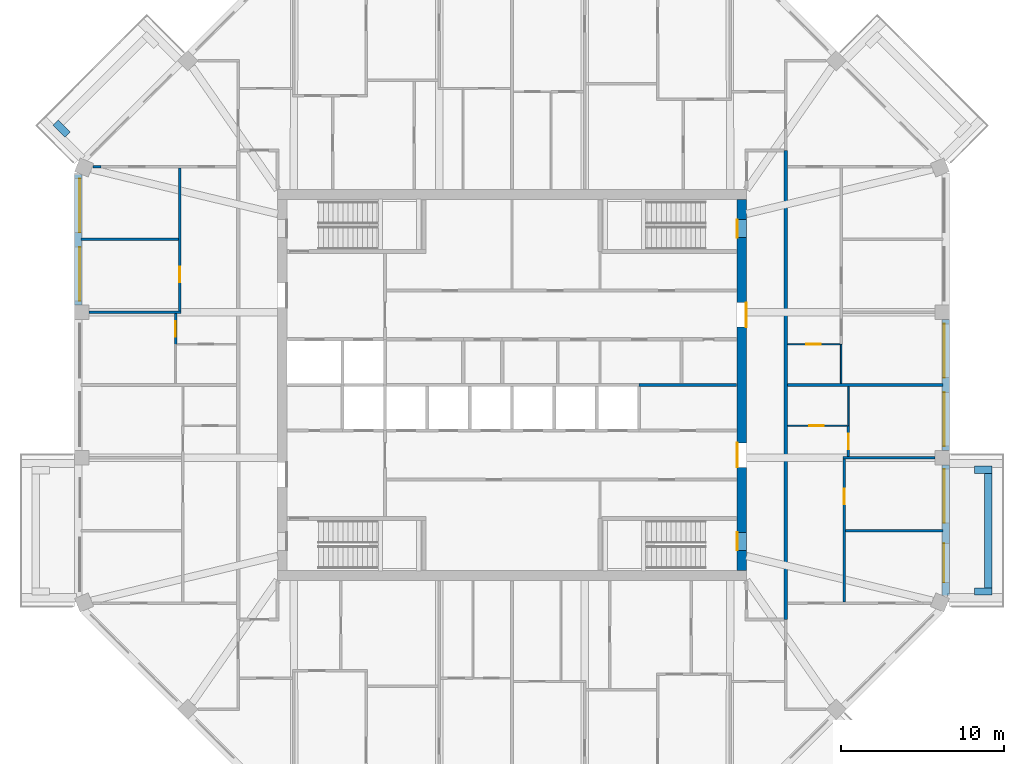
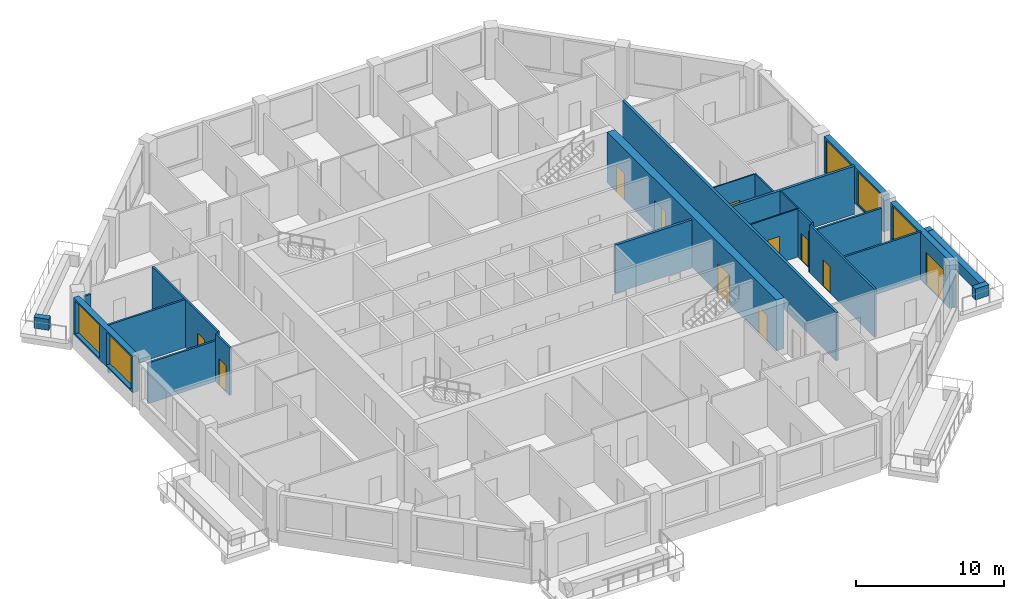
# One storey, part 6 of 11: 24 walls, 11 doors, 5 windows, 16 openings.
"""IFC4 building model written with IfcOpenShell, lengths in metres."""

from ifc_helpers import new_model, si_unit, direction, frame, frame_2d, origin, place, context, subcontext, project, spatial, rectangle, extrude, material, layer, layer_set, type_object, element, fill, save


model = new_model("IFC4")

# Units and contexts
model_context = context("Model", 3, precision=1e-05, world=origin(), true_north=direction((0.0, 1.0)))
body_context = subcontext(model_context, "Body", "Model", "MODEL_VIEW")
ifc_project = project(units=[si_unit("LENGTHUNIT", "METRE"), si_unit("AREAUNIT", "SQUARE_METRE"), si_unit("VOLUMEUNIT", "CUBIC_METRE"), si_unit("PLANEANGLEUNIT", "RADIAN"), si_unit("MASSUNIT", "GRAM", prefix="KILO")], contexts=[model_context])

# Site, building, storey
site_placement = place(None, origin())
site = spatial("IfcSite", under=ifc_project, at=site_placement, CompositionType="ELEMENT")
building_placement = place(site_placement, origin())
building = spatial("IfcBuilding", under=site, at=building_placement, Name="Msitu Wima Residences", CompositionType="ELEMENT")
storey_placement = place(building_placement, frame((0.0, 0.0, 234.89990234375)))
storey = spatial("IfcBuildingStorey", under=building, at=storey_placement, Name="L54", CompositionType="ELEMENT", Elevation=234.89990234375)

# Walls
ifc_material_1 = material(Name="Facing brick")
ifc_layer_1 = layer(ifc_material_1, 0.06494140625, Name="Facing brick")
ifc_material_2 = material(Name="Concrete C40/50", Category="concrete")
ifc_layer_2 = layer(ifc_material_2, 0.156005859375, Name="Concrete C40/50")
ifc_material_3 = material(Name="Waterproofing membrane")
ifc_layer_3 = layer(ifc_material_3, 0.00390625, Name="Waterproofing membrane")
ifc_material_4 = material(Name="Planting soil and planting")
ifc_layer_4 = layer(ifc_material_4, 0.22509765625, Name="Planting soil and planting")
ifc_layer_set_1 = layer_set([ifc_layer_1, ifc_layer_2, ifc_layer_3, ifc_layer_4], Name="Concrete C40/50")
wall_type_1 = type_object("IfcWallType", Name="Balcony planter PLANTER PL450", PredefinedType="USERDEFINED", material=ifc_layer_set_1)
wall_1_placement = place(storey_placement, frame((29.22509765625, -12.455810546875, 0.0), z_axis=(0.0, 0.0, 1.0), x_axis=(0.0, 1.0, 0.0)))
element("IfcWall", 1, at=wall_1_placement, inside=storey, type_object=wall_type_1, Name="Balcony planter E0 L54", ObjectType="PLANTER", PredefinedType="USERDEFINED", context=body_context, shape_type="SweptSolid", body=[
    extrude(rectangle(XDim=7.037109375, YDim=0.449951171875, at=frame_2d((3.5185546875, 0.0))), origin(), (0.0, 0.0, 1.0), 0.900146484375),
])
for number, where, z_axis, x_axis, name in (
    (2, (28.39990234375, -12.680908203125, 0.0), (0.0, 0.0, 1.0), (1.0, 0.0, 0.0), "Balcony planter E0 L54"),
    (3, (28.39990234375, -5.193603515625, 0.0), (0.0, 0.0, 1.0), (1.0, 0.0, 0.0), "Balcony planter E0 L54"),
    (4, (-27.26611328125, 15.3681640625, 0.0), (0.0, 0.0, 1.0), (-0.707223014731, 0.706990528533, 0.0), "Balcony planter NW1 L54"),
):
    element("IfcWall", number, at=place(storey_placement, frame(where, z_axis=z_axis, x_axis=x_axis)), inside=storey, type_object=wall_type_1, Name=name, ObjectType="PLANTER", PredefinedType="USERDEFINED", context=body_context, shape_type="SweptSolid", body=[
        extrude(rectangle(XDim=1.050048828125, YDim=0.449951171875, at=frame_2d((0.52490234375, 0.0))), origin(), (0.0, 0.0, 1.0), 0.900146484375),
    ])

# Wall, openings, door, window
ifc_material_5 = material(Name="Brick (red buff mix)", Category="masonry")
ifc_layer_5 = layer(ifc_material_5, 0.449951171875)
ifc_layer_set_2 = layer_set([ifc_layer_5], Name="Brick (red buff mix)")
wall_type_2 = type_object("IfcWallType", Name="Brick infill wall BW450", PredefinedType="SOLIDWALL", material=ifc_layer_set_2)
wall_2_placement = place(storey_placement, frame((26.625, -12.918701171875, 0.0), z_axis=(0.0, 0.0, 1.0), x_axis=(0.0, 1.0, 0.0)))
wall_2 = element("IfcWall", 5, at=wall_2_placement, inside=storey, type_object=wall_type_2, Name="Brick infill wall L54 E0", PredefinedType="SOLIDWALL", context=body_context, shape_type="SweptSolid", body=[
    extrude(rectangle(XDim=8.0, YDim=0.449951171875, at=frame_2d((4.0, 0.0))), origin(), (0.0, 0.0, 1.0), 3.900146484375),
])
opening_1_placement = place(wall_2_placement, frame((0.800048828125, 0.0, 0.0)))
opening_1 = element("IfcOpeningElement", 6, at=opening_1_placement, cuts=wall_2, Name="Opening D52-54.001", PredefinedType="OPENING", context=body_context, shape_type="SweptSolid", body=[
    extrude(rectangle(XDim=2.39990234375, YDim=2.699951171875, at=frame_2d((1.199951171875, 1.35009765625))), frame((0.0, 0.23486328125, 0.0), z_axis=(0.0, -1.0, 0.0), x_axis=(1.0, 0.0, 0.0)), (0.0, 0.0, 1.0), 0.469970703125),
])
opening_2_placement = place(wall_2_placement, frame((4.4501953125, 0.0, 1.050048828125)))
opening_2 = element("IfcOpeningElement", 7, at=opening_2_placement, cuts=wall_2, Name="Opening W52-54.001", PredefinedType="OPENING", context=body_context, shape_type="SweptSolid", body=[
    extrude(rectangle(XDim=3.300048828125, YDim=2.699951171875, at=frame_2d((1.64990234375, 1.35009765625))), frame((0.0, 0.23486328125, 0.0), z_axis=(0.0, -1.0, 0.0), x_axis=(1.0, 0.0, 0.0)), (0.0, 0.0, 1.0), 0.469970703125),
])
ifc_material_6 = material(Name="Anodised aluminium, bronze finish, clear low-emissivity double glazing", Category="aluminium")
door_type_1 = type_object("IfcDoorType", Name="Balcony door D2400x2700", OperationType="SLIDING_TO_LEFT", PredefinedType="DOOR", material=ifc_material_6)
door_1_placement = place(opening_1_placement, origin())
door_1 = element("IfcDoor", 8, at=door_1_placement, inside=storey, type_object=door_type_1, Name="Balcony door L54 E0", OperationType="SINGLE_SWING_LEFT", OverallHeight=2.699951171875, OverallWidth=2.39990234375, PredefinedType="DOOR", context=body_context, shape_type="SweptSolid", body=[
    extrude(rectangle(XDim=2.39990234375, YDim=2.699951171875, at=frame_2d((1.199951171875, 1.35009765625))), frame((0.0, 0.1298828125, 0.0), z_axis=(0.0, -1.0, 0.0), x_axis=(1.0, 0.0, 0.0)), (0.0, 0.0, 1.0), 0.050048828125),
])
fill(opening_1, door_1)
window_type = type_object("IfcWindowType", Name="Window W3300x2700", PartitioningType="DOUBLE_PANEL_VERTICAL", PredefinedType="WINDOW", material=ifc_material_6)
window_1_placement = place(opening_2_placement, origin())
window_1 = element("IfcWindow", 9, at=window_1_placement, inside=storey, type_object=window_type, Name="Window L54 E0.2", OverallHeight=2.699951171875, OverallWidth=3.300048828125, PartitioningType="SINGLE_PANEL", PredefinedType="WINDOW", context=body_context, shape_type="SweptSolid", body=[
    extrude(rectangle(XDim=3.300048828125, YDim=2.699951171875, at=frame_2d((1.64990234375, 1.35009765625))), frame((0.0, 0.135009765625, 0.0), z_axis=(0.0, -1.0, 0.0), x_axis=(1.0, 0.0, 0.0)), (0.0, 0.0, 1.0), 0.06005859375),
])
fill(opening_2, window_1)

# Wall, openings, windows
wall_3_placement = place(storey_placement, frame((26.625, -4.0185546875, 0.900146484375), z_axis=(0.0, 0.0, 1.0), x_axis=(0.0, 1.0, 0.0)))
wall_3 = element("IfcWall", 10, at=wall_3_placement, inside=storey, type_object=wall_type_2, Name="Brick infill wall L54 E1", PredefinedType="SOLIDWALL", context=body_context, shape_type="SweptSolid", body=[
    extrude(rectangle(XDim=8.037109375, YDim=0.449951171875, at=frame_2d((4.0185546875, 0.0))), origin(), (0.0, 0.0, 1.0), 3.0),
])
opening_3_placement = place(wall_3_placement, frame((0.2685546875, 0.0, 0.14990234375)))
opening_3 = element("IfcOpeningElement", 11, at=opening_3_placement, cuts=wall_3, Name="Opening W52-54.002", PredefinedType="OPENING", context=body_context, shape_type="SweptSolid", body=[
    extrude(rectangle(XDim=3.300048828125, YDim=2.699951171875, at=frame_2d((1.64990234375, 1.35009765625))), frame((0.0, 0.23486328125, 0.0), z_axis=(0.0, -1.0, 0.0), x_axis=(1.0, 0.0, 0.0)), (0.0, 0.0, 1.0), 0.469970703125),
])
opening_4_placement = place(wall_3_placement, frame((4.46875, 0.0, 0.14990234375)))
opening_4 = element("IfcOpeningElement", 12, at=opening_4_placement, cuts=wall_3, Name="Opening W52-54.003", PredefinedType="OPENING", context=body_context, shape_type="SweptSolid", body=[
    extrude(rectangle(XDim=3.300048828125, YDim=2.699951171875, at=frame_2d((1.64990234375, 1.35009765625))), frame((0.0, 0.23486328125, 0.0), z_axis=(0.0, -1.0, 0.0), x_axis=(1.0, 0.0, 0.0)), (0.0, 0.0, 1.0), 0.469970703125),
])
window_2_placement = place(opening_3_placement, origin())
window_2 = element("IfcWindow", 13, at=window_2_placement, inside=storey, type_object=window_type, Name="Window L54 E1.1", OverallHeight=2.699951171875, OverallWidth=3.300048828125, PartitioningType="SINGLE_PANEL", PredefinedType="WINDOW", context=body_context, shape_type="SweptSolid", body=[
    extrude(rectangle(XDim=3.300048828125, YDim=2.699951171875, at=frame_2d((1.64990234375, 1.35009765625))), frame((0.0, 0.135009765625, 0.0), z_axis=(0.0, -1.0, 0.0), x_axis=(1.0, 0.0, 0.0)), (0.0, 0.0, 1.0), 0.06005859375),
])
fill(opening_3, window_2)
window_3_placement = place(opening_4_placement, origin())
window_3 = element("IfcWindow", 14, at=window_3_placement, inside=storey, type_object=window_type, Name="Window L54 E1.2", OverallHeight=2.699951171875, OverallWidth=3.300048828125, PartitioningType="SINGLE_PANEL", PredefinedType="WINDOW", context=body_context, shape_type="SweptSolid", body=[
    extrude(rectangle(XDim=3.300048828125, YDim=2.699951171875, at=frame_2d((1.64990234375, 1.35009765625))), frame((0.0, 0.135009765625, 0.0), z_axis=(0.0, -1.0, 0.0), x_axis=(1.0, 0.0, 0.0)), (0.0, 0.0, 1.0), 0.06005859375),
])
fill(opening_4, window_3)

wall_4_placement = place(storey_placement, frame((-26.625, 12.918701171875, 0.900146484375), z_axis=(0.0, 0.0, 1.0), x_axis=(0.0, -1.0, 0.0)))
wall_4 = element("IfcWall", 15, at=wall_4_placement, inside=storey, type_object=wall_type_2, Name="Brick infill wall L54 W0", PredefinedType="SOLIDWALL", context=body_context, shape_type="SweptSolid", body=[
    extrude(rectangle(XDim=8.0, YDim=0.449951171875, at=frame_2d((4.0, 0.0))), origin(), (0.0, 0.0, 1.0), 3.0),
])
opening_5_placement = place(wall_4_placement, frame((0.25, 0.0, 0.14990234375)))
opening_5 = element("IfcOpeningElement", 16, at=opening_5_placement, cuts=wall_4, Name="Opening W52-54.029", PredefinedType="OPENING", context=body_context, shape_type="SweptSolid", body=[
    extrude(rectangle(XDim=3.300048828125, YDim=2.699951171875, at=frame_2d((1.64990234375, 1.35009765625))), frame((0.0, 0.23486328125, 0.0), z_axis=(0.0, -1.0, 0.0), x_axis=(1.0, 0.0, 0.0)), (0.0, 0.0, 1.0), 0.469970703125),
])
opening_6_placement = place(wall_4_placement, frame((4.4501953125, 0.0, 0.14990234375)))
opening_6 = element("IfcOpeningElement", 17, at=opening_6_placement, cuts=wall_4, Name="Opening W52-54.030", PredefinedType="OPENING", context=body_context, shape_type="SweptSolid", body=[
    extrude(rectangle(XDim=3.300048828125, YDim=2.699951171875, at=frame_2d((1.64990234375, 1.35009765625))), frame((0.0, 0.23486328125, 0.0), z_axis=(0.0, -1.0, 0.0), x_axis=(1.0, 0.0, 0.0)), (0.0, 0.0, 1.0), 0.469970703125),
])
window_4_placement = place(opening_5_placement, origin())
window_4 = element("IfcWindow", 18, at=window_4_placement, inside=storey, type_object=window_type, Name="Window L54 W0.1", OverallHeight=2.699951171875, OverallWidth=3.300048828125, PartitioningType="SINGLE_PANEL", PredefinedType="WINDOW", context=body_context, shape_type="SweptSolid", body=[
    extrude(rectangle(XDim=3.300048828125, YDim=2.699951171875, at=frame_2d((1.64990234375, 1.35009765625))), frame((0.0, 0.135009765625, 0.0), z_axis=(0.0, -1.0, 0.0), x_axis=(1.0, 0.0, 0.0)), (0.0, 0.0, 1.0), 0.06005859375),
])
fill(opening_5, window_4)
window_5_placement = place(opening_6_placement, origin())
window_5 = element("IfcWindow", 19, at=window_5_placement, inside=storey, type_object=window_type, Name="Window L54 W0.2", OverallHeight=2.699951171875, OverallWidth=3.300048828125, PartitioningType="SINGLE_PANEL", PredefinedType="WINDOW", context=body_context, shape_type="SweptSolid", body=[
    extrude(rectangle(XDim=3.300048828125, YDim=2.699951171875, at=frame_2d((1.64990234375, 1.35009765625))), frame((0.0, 0.135009765625, 0.0), z_axis=(0.0, -1.0, 0.0), x_axis=(1.0, 0.0, 0.0)), (0.0, 0.0, 1.0), 0.06005859375),
])
fill(opening_6, window_5)

# Wall, openings, doors
ifc_material_7 = material(Name="Concrete C50/60", Category="concrete")
ifc_layer_6 = layer(ifc_material_7, 0.60009765625)
ifc_layer_set_3 = layer_set([ifc_layer_6], Name="Concrete C50/60")
wall_type_3 = type_object("IfcWallType", Name="Core wall CW600 C50/60", PredefinedType="SHEAR", material=ifc_layer_set_3)
wall_5_placement = place(storey_placement, frame((14.10009765625, -11.39990234375, 0.0), z_axis=(0.0, 0.0, 1.0), x_axis=(0.0, 1.0, 0.0)))
wall_5 = element("IfcWall", 20, at=wall_5_placement, inside=storey, type_object=wall_type_3, Name="Core wall", PredefinedType="SHEAR", context=body_context, shape_type="SweptSolid", body=[
    extrude(rectangle(XDim=22.7998046875, YDim=0.60009765625, at=frame_2d((11.39990234375, 0.0))), origin(), (0.0, 0.0, 1.0), 4.2001953125),
])
opening_7_placement = place(wall_5_placement, frame((20.449951171875, 0.0, 0.0)))
opening_7 = element("IfcOpeningElement", 21, at=opening_7_placement, cuts=wall_5, Name="Opening D52-54.089", PredefinedType="OPENING", context=body_context, shape_type="SweptSolid", body=[
    extrude(rectangle(XDim=1.10009765625, YDim=2.199951171875, at=frame_2d((0.550048828125, 1.10009765625))), frame((0.0, 0.31005859375, 0.0), z_axis=(0.0, -1.0, 0.0), x_axis=(1.0, 0.0, 0.0)), (0.0, 0.0, 1.0), 0.6201171875),
])
opening_8_placement = place(wall_5_placement, frame((1.25, 0.0, 0.0)))
opening_8 = element("IfcOpeningElement", 22, at=opening_8_placement, cuts=wall_5, Name="Opening D52-54.090", PredefinedType="OPENING", context=body_context, shape_type="SweptSolid", body=[
    extrude(rectangle(XDim=1.10009765625, YDim=2.199951171875, at=frame_2d((0.550048828125, 1.10009765625))), frame((0.0, 0.31005859375, 0.0), z_axis=(0.0, -1.0, 0.0), x_axis=(1.0, 0.0, 0.0)), (0.0, 0.0, 1.0), 0.6201171875),
])
opening_9_placement = place(wall_5_placement, frame((14.949951171875, 0.0, 0.0)))
opening_9 = element("IfcOpeningElement", 23, at=opening_9_placement, cuts=wall_5, Name="Opening D52-54.076", PredefinedType="OPENING", context=body_context, shape_type="SweptSolid", body=[
    extrude(rectangle(XDim=1.5, YDim=2.39990234375, at=frame_2d((0.75, 1.199951171875))), frame((0.0, 0.31005859375, 0.0), z_axis=(0.0, -1.0, 0.0), x_axis=(1.0, 0.0, 0.0)), (0.0, 0.0, 1.0), 0.6201171875),
])
opening_10_placement = place(wall_5_placement, frame((6.35009765625, 0.0, 0.0)))
opening_10 = element("IfcOpeningElement", 24, at=opening_10_placement, cuts=wall_5, Name="Opening D52-54.077", PredefinedType="OPENING", context=body_context, shape_type="SweptSolid", body=[
    extrude(rectangle(XDim=1.5, YDim=2.39990234375, at=frame_2d((0.75, 1.199951171875))), frame((0.0, 0.31005859375, 0.0), z_axis=(0.0, -1.0, 0.0), x_axis=(1.0, 0.0, 0.0)), (0.0, 0.0, 1.0), 0.6201171875),
])
ifc_material_8 = material(Name="Steel framed glazed door, fire resisting", Category="steel")
door_type_2 = type_object("IfcDoorType", Name="Lobby door D07 1500x2400", OperationType="DOUBLE_DOOR_SINGLE_SWING", PredefinedType="DOOR", material=ifc_material_8)
door_2_placement = place(opening_9_placement, origin())
door_2 = element("IfcDoor", 25, at=door_2_placement, inside=storey, type_object=door_type_2, Name="Lobby door", OperationType="DOUBLE_DOOR_SINGLE_SWING", OverallHeight=2.39990234375, OverallWidth=1.5, PredefinedType="DOOR", context=body_context, shape_type="SweptSolid", body=[
    extrude(rectangle(XDim=1.5, YDim=2.39990234375, at=frame_2d((0.75, 1.199951171875))), frame((0.0, -0.2451171875, 0.0), z_axis=(0.0, -1.0, 0.0), x_axis=(1.0, 0.0, 0.0)), (0.0, 0.0, 1.0), 0.050048828125),
])
fill(opening_9, door_2)
door_3_placement = place(opening_10_placement, origin())
door_3 = element("IfcDoor", 26, at=door_3_placement, inside=storey, type_object=door_type_2, Name="Lobby door", OperationType="DOUBLE_DOOR_SINGLE_SWING", OverallHeight=2.39990234375, OverallWidth=1.5, PredefinedType="DOOR", context=body_context, shape_type="SweptSolid", body=[
    extrude(rectangle(XDim=1.5, YDim=2.39990234375, at=frame_2d((0.75, 1.199951171875))), frame((0.0, 0.294921875, 0.0), z_axis=(0.0, -1.0, 0.0), x_axis=(1.0, 0.0, 0.0)), (0.0, 0.0, 1.0), 0.050048828125),
])
fill(opening_10, door_3)
ifc_material_9 = material(Name="Steel door, fire resisting, panic bar", Category="steel")
door_type_3 = type_object("IfcDoorType", Name="Stair door D06 1100x2200", OperationType="SINGLE_SWING_LEFT", PredefinedType="DOOR", material=ifc_material_9)
door_4_placement = place(opening_7_placement, origin())
door_4 = element("IfcDoor", 27, at=door_4_placement, inside=storey, type_object=door_type_3, Name="Stair door", OperationType="SINGLE_SWING_LEFT", OverallHeight=2.199951171875, OverallWidth=1.10009765625, PredefinedType="DOOR", context=body_context, shape_type="SweptSolid", body=[
    extrude(rectangle(XDim=1.10009765625, YDim=2.199951171875, at=frame_2d((0.550048828125, 1.10009765625))), frame((0.0, 0.294921875, 0.0), z_axis=(0.0, -1.0, 0.0), x_axis=(1.0, 0.0, 0.0)), (0.0, 0.0, 1.0), 0.050048828125),
])
fill(opening_7, door_4)
door_5_placement = place(opening_8_placement, origin())
door_5 = element("IfcDoor", 28, at=door_5_placement, inside=storey, type_object=door_type_3, Name="Stair door", OperationType="SINGLE_SWING_RIGHT", OverallHeight=2.199951171875, OverallWidth=1.10009765625, PredefinedType="DOOR", context=body_context, shape_type="SweptSolid", body=[
    extrude(rectangle(XDim=1.10009765625, YDim=2.199951171875, at=frame_2d((0.550048828125, 1.10009765625))), frame((0.0, 0.294921875, 0.0), z_axis=(0.0, -1.0, 0.0), x_axis=(1.0, 0.0, 0.0)), (0.0, 0.0, 1.0), 0.050048828125),
])
fill(opening_8, door_5)

# Walls
ifc_material_10 = material(Name="Plaster")
ifc_layer_7 = layer(ifc_material_10, 0.011962890625, Name="Plaster")
ifc_material_11 = material(Name="Concrete blockwork", Category="masonry")
ifc_layer_8 = layer(ifc_material_11, 0.176025390625, Name="Concrete blockwork")
ifc_layer_9 = layer(ifc_material_10, 0.011962890625, Name="Plaster")
ifc_layer_set_4 = layer_set([ifc_layer_7, ifc_layer_8, ifc_layer_9], Name="Concrete blockwork")
wall_type_4 = type_object("IfcWallType", Name="Corridor wall FW200", PredefinedType="PARTITIONING", material=ifc_layer_set_4)
wall_6_placement = place(storey_placement, frame((16.800048828125, -14.39990234375, 0.0), z_axis=(0.0, 0.0, 1.0), x_axis=(0.0, 1.0, 0.0)))
element("IfcWall", 29, at=wall_6_placement, inside=storey, type_object=wall_type_4, Name="Corridor wall", PredefinedType="PARTITIONING", context=body_context, shape_type="SweptSolid", body=[
    extrude(rectangle(XDim=28.7998046875, YDim=0.199951171875, at=frame_2d((14.39990234375, 0.0))), origin(), (0.0, 0.0, 1.0), 3.9501953125),
])
ifc_layer_10 = layer(ifc_material_10, 0.011962890625, Name="Plaster")
ifc_layer_11 = layer(ifc_material_11, 0.1259765625, Name="Concrete blockwork")
ifc_layer_12 = layer(ifc_material_10, 0.011962890625, Name="Plaster")
ifc_layer_set_5 = layer_set([ifc_layer_10, ifc_layer_11, ifc_layer_12], Name="Concrete blockwork")
wall_type_5 = type_object("IfcWallType", Name="Partition PW150", PredefinedType="PARTITIONING", material=ifc_layer_set_5)
wall_7_placement = place(storey_placement, frame((-25.949951171875, 4.46875, 0.0), z_axis=(0.0, 0.0, 1.0), x_axis=(1.0, 0.0, 0.0)))
element("IfcWall", 30, at=wall_7_placement, inside=storey, type_object=wall_type_5, Name="Partition", PredefinedType="PARTITIONING", context=body_context, shape_type="SweptSolid", body=[
    extrude(rectangle(XDim=5.625, YDim=0.14990234375, at=frame_2d((2.8125, 0.0))), origin(), (0.0, 0.0, 1.0), 3.35009765625),
])
wall_8_placement = place(storey_placement, frame((-26.455078125, 8.937255859375, 0.0), z_axis=(0.0, 0.0, 1.0), x_axis=(1.0, 0.0, 0.0)))
element("IfcWall", 31, at=wall_8_placement, inside=storey, type_object=wall_type_5, Name="Partition", PredefinedType="PARTITIONING", context=body_context, shape_type="SweptSolid", body=[
    extrude(rectangle(XDim=5.97998046875, YDim=0.14990234375, at=frame_2d((2.989990234375, 0.0))), origin(), (0.0, 0.0, 1.0), 3.9501953125),
])
wall_9_placement = place(storey_placement, frame((-25.731201171875, 13.406005859375, 0.0), z_axis=(0.0, 0.0, 1.0), x_axis=(1.0, 0.0, 0.0)))
element("IfcWall", 32, at=wall_9_placement, inside=storey, type_object=wall_type_5, Name="Partition", PredefinedType="PARTITIONING", context=body_context, shape_type="SweptSolid", body=[
    extrude(rectangle(XDim=0.507080078125, YDim=0.14990234375, at=frame_2d((0.25341796875, 0.0))), origin(), (0.0, 0.0, 1.0), 3.35009765625),
])

# Wall, opening, door
wall_10_placement = place(storey_placement, frame((-20.64990234375, 2.5, 0.0), z_axis=(0.0, 0.0, 1.0), x_axis=(0.0, 1.0, 0.0)))
wall_10 = element("IfcWall", 33, at=wall_10_placement, inside=storey, type_object=wall_type_5, Name="Partition", PredefinedType="PARTITIONING", context=body_context, shape_type="SweptSolid", body=[
    extrude(rectangle(XDim=1.8935546875, YDim=0.14990234375, at=frame_2d((0.94677734375, 0.0))), origin(), (0.0, 0.0, 1.0), 3.9501953125),
])
opening_11_placement = place(wall_10_placement, frame((0.449951171875, 0.0, 0.0)))
opening_11 = element("IfcOpeningElement", 34, at=opening_11_placement, cuts=wall_10, Name="Opening D52-54.035", PredefinedType="OPENING", context=body_context, shape_type="SweptSolid", body=[
    extrude(rectangle(XDim=0.949951171875, YDim=2.199951171875, at=frame_2d((0.47509765625, 1.10009765625))), frame((0.0, 0.0849609375, 0.0), z_axis=(0.0, -1.0, 0.0), x_axis=(1.0, 0.0, 0.0)), (0.0, 0.0, 1.0), 0.169921875),
])
ifc_material_12 = material(Name="Timber flush door", Category="wood")
door_type_4 = type_object("IfcDoorType", Name="Room door D12 950x2200", OperationType="SINGLE_SWING_LEFT", PredefinedType="DOOR", material=ifc_material_12)
door_6_placement = place(opening_11_placement, origin())
door_6 = element("IfcDoor", 35, at=door_6_placement, inside=storey, type_object=door_type_4, Name="Room door", OperationType="SINGLE_SWING_RIGHT", OverallHeight=2.199951171875, OverallWidth=0.949951171875, PredefinedType="DOOR", context=body_context, shape_type="SweptSolid", body=[
    extrude(rectangle(XDim=0.949951171875, YDim=2.199951171875, at=frame_2d((0.47509765625, 1.10009765625))), frame((0.0, 0.02490234375, 0.0), z_axis=(0.0, -1.0, 0.0), x_axis=(1.0, 0.0, 0.0)), (0.0, 0.0, 1.0), 0.050048828125),
])
fill(opening_11, door_6)

wall_11_placement = place(storey_placement, frame((-20.39990234375, 4.543701171875, 0.0), z_axis=(0.0, 0.0, 1.0), x_axis=(0.0, 1.0, 0.0)))
wall_11 = element("IfcWall", 36, at=wall_11_placement, inside=storey, type_object=wall_type_5, Name="Partition", PredefinedType="PARTITIONING", context=body_context, shape_type="SweptSolid", body=[
    extrude(rectangle(XDim=8.787109375, YDim=0.14990234375, at=frame_2d((4.3935546875, 0.0))), origin(), (0.0, 0.0, 1.0), 3.9501953125),
])
opening_12_placement = place(wall_11_placement, frame((1.75, 0.0, 0.0)))
opening_12 = element("IfcOpeningElement", 37, at=opening_12_placement, cuts=wall_11, Name="Opening D52-54.036", PredefinedType="OPENING", context=body_context, shape_type="SweptSolid", body=[
    extrude(rectangle(XDim=0.949951171875, YDim=2.199951171875, at=frame_2d((0.47509765625, 1.10009765625))), frame((0.0, 0.0849609375, 0.0), z_axis=(0.0, -1.0, 0.0), x_axis=(1.0, 0.0, 0.0)), (0.0, 0.0, 1.0), 0.169921875),
])
door_7_placement = place(opening_12_placement, origin())
door_7 = element("IfcDoor", 38, at=door_7_placement, inside=storey, type_object=door_type_4, Name="Room door", OperationType="SINGLE_SWING_RIGHT", OverallHeight=2.199951171875, OverallWidth=0.949951171875, PredefinedType="DOOR", context=body_context, shape_type="SweptSolid", body=[
    extrude(rectangle(XDim=0.949951171875, YDim=2.199951171875, at=frame_2d((0.47509765625, 1.10009765625))), frame((0.0, 0.02490234375, 0.0), z_axis=(0.0, -1.0, 0.0), x_axis=(1.0, 0.0, 0.0)), (0.0, 0.0, 1.0), 0.050048828125),
])
fill(opening_12, door_7)

wall_12_placement = place(storey_placement, frame((20.39990234375, -13.330810546875, 0.0), z_axis=(0.0, 0.0, 1.0), x_axis=(0.0, 1.0, 0.0)))
wall_12 = element("IfcWall", 39, at=wall_12_placement, inside=storey, type_object=wall_type_5, Name="Partition", PredefinedType="PARTITIONING", context=body_context, shape_type="SweptSolid", body=[
    extrude(rectangle(XDim=8.787109375, YDim=0.14990234375, at=frame_2d((4.3935546875, 0.0))), origin(), (0.0, 0.0, 1.0), 3.9501953125),
])
opening_13_placement = place(wall_12_placement, frame((6.0, 0.0, 0.0)))
opening_13 = element("IfcOpeningElement", 40, at=opening_13_placement, cuts=wall_12, Name="Opening D52-54.065", PredefinedType="OPENING", context=body_context, shape_type="SweptSolid", body=[
    extrude(rectangle(XDim=0.949951171875, YDim=2.199951171875, at=frame_2d((0.47509765625, 1.10009765625))), frame((0.0, 0.0849609375, 0.0), z_axis=(0.0, -1.0, 0.0), x_axis=(1.0, 0.0, 0.0)), (0.0, 0.0, 1.0), 0.169921875),
])
door_8_placement = place(opening_13_placement, origin())
door_8 = element("IfcDoor", 41, at=door_8_placement, inside=storey, type_object=door_type_4, Name="Room door", OperationType="SINGLE_SWING_RIGHT", OverallHeight=2.199951171875, OverallWidth=0.949951171875, PredefinedType="DOOR", context=body_context, shape_type="SweptSolid", body=[
    extrude(rectangle(XDim=0.949951171875, YDim=2.199951171875, at=frame_2d((0.47509765625, 1.10009765625))), frame((0.0, 0.02490234375, 0.0), z_axis=(0.0, -1.0, 0.0), x_axis=(1.0, 0.0, 0.0)), (0.0, 0.0, 1.0), 0.050048828125),
])
fill(opening_13, door_8)

# Walls
wall_13_placement = place(storey_placement, frame((20.47509765625, -8.937255859375, 0.0), z_axis=(0.0, 0.0, 1.0), x_axis=(1.0, 0.0, 0.0)))
element("IfcWall", 42, at=wall_13_placement, inside=storey, type_object=wall_type_5, Name="Partition", PredefinedType="PARTITIONING", context=body_context, shape_type="SweptSolid", body=[
    extrude(rectangle(XDim=5.97998046875, YDim=0.14990234375, at=frame_2d((2.989990234375, 0.0))), origin(), (0.0, 0.0, 1.0), 3.9501953125),
])
wall_14_placement = place(storey_placement, frame((20.324951171875, -4.46875, 0.0), z_axis=(0.0, 0.0, 1.0), x_axis=(1.0, 0.0, 0.0)))
element("IfcWall", 43, at=wall_14_placement, inside=storey, type_object=wall_type_5, Name="Partition", PredefinedType="PARTITIONING", context=body_context, shape_type="SweptSolid", body=[
    extrude(rectangle(XDim=5.625, YDim=0.14990234375, at=frame_2d((2.8125, 0.0))), origin(), (0.0, 0.0, 1.0), 3.35009765625),
])

# Wall, opening, door
wall_15_placement = place(storey_placement, frame((20.64990234375, -4.3935546875, 0.0), z_axis=(0.0, 0.0, 1.0), x_axis=(0.0, 1.0, 0.0)))
wall_15 = element("IfcWall", 44, at=wall_15_placement, inside=storey, type_object=wall_type_5, Name="Partition", PredefinedType="PARTITIONING", context=body_context, shape_type="SweptSolid", body=[
    extrude(rectangle(XDim=1.8935546875, YDim=0.14990234375, at=frame_2d((0.94677734375, 0.0))), origin(), (0.0, 0.0, 1.0), 3.9501953125),
])
opening_14_placement = place(wall_15_placement, frame((0.449951171875, 0.0, 0.0)))
opening_14 = element("IfcOpeningElement", 45, at=opening_14_placement, cuts=wall_15, Name="Opening D52-54.064", PredefinedType="OPENING", context=body_context, shape_type="SweptSolid", body=[
    extrude(rectangle(XDim=0.949951171875, YDim=2.199951171875, at=frame_2d((0.47509765625, 1.10009765625))), frame((0.0, 0.0849609375, 0.0), z_axis=(0.0, -1.0, 0.0), x_axis=(1.0, 0.0, 0.0)), (0.0, 0.0, 1.0), 0.169921875),
])
door_9_placement = place(opening_14_placement, origin())
door_9 = element("IfcDoor", 46, at=door_9_placement, inside=storey, type_object=door_type_4, Name="Room door", OperationType="SINGLE_SWING_RIGHT", OverallHeight=2.199951171875, OverallWidth=0.949951171875, PredefinedType="DOOR", context=body_context, shape_type="SweptSolid", body=[
    extrude(rectangle(XDim=0.949951171875, YDim=2.199951171875, at=frame_2d((0.47509765625, 1.10009765625))), frame((0.0, 0.02490234375, 0.0), z_axis=(0.0, -1.0, 0.0), x_axis=(1.0, 0.0, 0.0)), (0.0, 0.0, 1.0), 0.050048828125),
])
fill(opening_14, door_9)

# Walls
ifc_layer_13 = layer(ifc_material_10, 0.011962890625, Name="Plaster")
ifc_material_13 = material(Name="Dense concrete blockwork", Category="masonry")
ifc_layer_14 = layer(ifc_material_13, 0.176025390625, Name="Dense concrete blockwork")
ifc_layer_15 = layer(ifc_material_10, 0.011962890625, Name="Plaster")
ifc_layer_set_6 = layer_set([ifc_layer_13, ifc_layer_14, ifc_layer_15], Name="Dense concrete blockwork")
wall_type_6 = type_object("IfcWallType", Name="Party wall PW200", PredefinedType="PARTITIONING", material=ifc_layer_set_6)
wall_16_placement = place(storey_placement, frame((16.89990234375, 0.0, 0.0), z_axis=(0.0, 0.0, 1.0), x_axis=(1.0, 0.0, 0.0)))
element("IfcWall", 47, at=wall_16_placement, inside=storey, type_object=wall_type_6, Name="Party wall", PredefinedType="PARTITIONING", context=body_context, shape_type="SweptSolid", body=[
    extrude(rectangle(XDim=9.55517578125, YDim=0.199951171875, at=frame_2d((4.777587890625, 0.0))), origin(), (0.0, 0.0, 1.0), 3.9501953125),
])
ifc_layer_16 = layer(ifc_material_10, 0.011962890625, Name="Plaster")
ifc_material_14 = material(Name="Reinforced concrete blockwork", Category="masonry")
ifc_layer_17 = layer(ifc_material_14, 0.176025390625, Name="Reinforced concrete blockwork")
ifc_layer_18 = layer(ifc_material_10, 0.011962890625, Name="Plaster")
ifc_layer_set_7 = layer_set([ifc_layer_16, ifc_layer_17, ifc_layer_18], Name="Reinforced concrete blockwork")
wall_type_7 = type_object("IfcWallType", Name="Plant and riser wall PL200", PredefinedType="PARTITIONING", material=ifc_layer_set_7)
wall_17_placement = place(storey_placement, frame((7.800048828125, 0.0, 0.0), z_axis=(0.0, 0.0, 1.0), x_axis=(1.0, 0.0, 0.0)))
element("IfcWall", 48, at=wall_17_placement, inside=storey, type_object=wall_type_7, Name="Plant and riser wall", PredefinedType="PARTITIONING", context=body_context, shape_type="SweptSolid", body=[
    extrude(rectangle(XDim=5.969970703125, YDim=0.199951171875, at=frame_2d((2.98486328125, 0.0))), origin(), (0.0, 0.0, 1.0), 3.9501953125),
])

# Wall, opening, door
ifc_material_15 = material(Name="Ceramic tiles")
ifc_layer_19 = layer(ifc_material_15, 0.008056640625, Name="Ceramic tiles")
ifc_material_16 = material(Name="Moisture-resistant board")
ifc_layer_20 = layer(ifc_material_16, 0.012451171875, Name="Moisture-resistant board")
ifc_material_17 = material(Name="Light-gauge stud framing with mineral wool")
ifc_layer_21 = layer(ifc_material_17, 0.06689453125, Name="Light-gauge stud framing with mineral wool")
ifc_layer_22 = layer(ifc_material_16, 0.012451171875, Name="Moisture-resistant board")
ifc_layer_set_8 = layer_set([ifc_layer_19, ifc_layer_20, ifc_layer_21, ifc_layer_22], Name="Light-gauge stud framing with mineral wool")
wall_type_8 = type_object("IfcWallType", Name="Wet wall PW100", PredefinedType="PARTITIONING", material=ifc_layer_set_8)
wall_18_placement = place(storey_placement, frame((16.89990234375, -2.5, 0.0), z_axis=(0.0, 0.0, 1.0), x_axis=(1.0, 0.0, 0.0)))
wall_18 = element("IfcWall", 49, at=wall_18_placement, inside=storey, type_object=wall_type_8, Name="Wet wall", PredefinedType="PARTITIONING", context=body_context, shape_type="SweptSolid", body=[
    extrude(rectangle(XDim=3.675048828125, YDim=0.10009765625, at=frame_2d((1.83740234375, 0.0))), origin(), (0.0, 0.0, 1.0), 3.9501953125),
])
opening_15_placement = place(wall_18_placement, frame((1.35009765625, 0.0, 0.0)))
opening_15 = element("IfcOpeningElement", 50, at=opening_15_placement, cuts=wall_18, Name="Opening D52-54.055", PredefinedType="OPENING", context=body_context, shape_type="SweptSolid", body=[
    extrude(rectangle(XDim=0.89990234375, YDim=2.199951171875, at=frame_2d((0.449951171875, 1.10009765625))), frame((0.0, 0.06005859375, 0.0), z_axis=(0.0, -1.0, 0.0), x_axis=(1.0, 0.0, 0.0)), (0.0, 0.0, 1.0), 0.1201171875),
])
ifc_material_18 = material(Name="Timber flush door, moisture resistant", Category="wood")
door_type_5 = type_object("IfcDoorType", Name="Bathroom door D03 900x2200", OperationType="SINGLE_SWING_LEFT", PredefinedType="DOOR", material=ifc_material_18)
door_10_placement = place(opening_15_placement, origin())
door_10 = element("IfcDoor", 51, at=door_10_placement, inside=storey, type_object=door_type_5, Name="Bathroom door", OperationType="SINGLE_SWING_LEFT", OverallHeight=2.199951171875, OverallWidth=0.89990234375, PredefinedType="DOOR", context=body_context, shape_type="SweptSolid", body=[
    extrude(rectangle(XDim=0.89990234375, YDim=2.199951171875, at=frame_2d((0.449951171875, 1.10009765625))), frame((0.0, 0.02490234375, 0.0), z_axis=(0.0, -1.0, 0.0), x_axis=(1.0, 0.0, 0.0)), (0.0, 0.0, 1.0), 0.050048828125),
])
fill(opening_15, door_10)

wall_19_placement = place(storey_placement, frame((16.89990234375, 2.5, 0.0), z_axis=(0.0, 0.0, 1.0), x_axis=(1.0, 0.0, 0.0)))
wall_19 = element("IfcWall", 52, at=wall_19_placement, inside=storey, type_object=wall_type_8, Name="Wet wall", PredefinedType="PARTITIONING", context=body_context, shape_type="SweptSolid", body=[
    extrude(rectangle(XDim=3.22509765625, YDim=0.10009765625, at=frame_2d((1.612548828125, 0.0))), origin(), (0.0, 0.0, 1.0), 3.9501953125),
])
opening_16_placement = place(wall_19_placement, frame((1.14990234375, 0.0, 0.0)))
opening_16 = element("IfcOpeningElement", 53, at=opening_16_placement, cuts=wall_19, Name="Opening D52-54.011", PredefinedType="OPENING", context=body_context, shape_type="SweptSolid", body=[
    extrude(rectangle(XDim=0.89990234375, YDim=2.199951171875, at=frame_2d((0.449951171875, 1.10009765625))), frame((0.0, 0.06005859375, 0.0), z_axis=(0.0, -1.0, 0.0), x_axis=(1.0, 0.0, 0.0)), (0.0, 0.0, 1.0), 0.1201171875),
])
door_11_placement = place(opening_16_placement, origin())
door_11 = element("IfcDoor", 54, at=door_11_placement, inside=storey, type_object=door_type_5, Name="Bathroom door", OperationType="SINGLE_SWING_RIGHT", OverallHeight=2.199951171875, OverallWidth=0.89990234375, PredefinedType="DOOR", context=body_context, shape_type="SweptSolid", body=[
    extrude(rectangle(XDim=0.89990234375, YDim=2.199951171875, at=frame_2d((0.449951171875, 1.10009765625))), frame((0.0, 0.02490234375, 0.0), z_axis=(0.0, -1.0, 0.0), x_axis=(1.0, 0.0, 0.0)), (0.0, 0.0, 1.0), 0.050048828125),
])
fill(opening_16, door_11)

# Walls
for number, where, z_axis, x_axis, name in (
    (55, (20.199951171875, 0.10009765625, 0.0), (0.0, 0.0, 1.0), (0.0, 1.0, 0.0), "Wet wall"),
    (56, (20.64990234375, -2.5, 0.0), (0.0, 0.0, 1.0), (0.0, 1.0, 0.0), "Wet wall"),
):
    element("IfcWall", number, at=place(storey_placement, frame(where, z_axis=z_axis, x_axis=x_axis)), inside=storey, type_object=wall_type_8, Name=name, PredefinedType="PARTITIONING", context=body_context, shape_type="SweptSolid", body=[
        extrude(rectangle(XDim=2.39990234375, YDim=0.10009765625, at=frame_2d((1.199951171875, 0.0))), origin(), (0.0, 0.0, 1.0), 3.9501953125),
    ])

save(model, "model.ifc")
